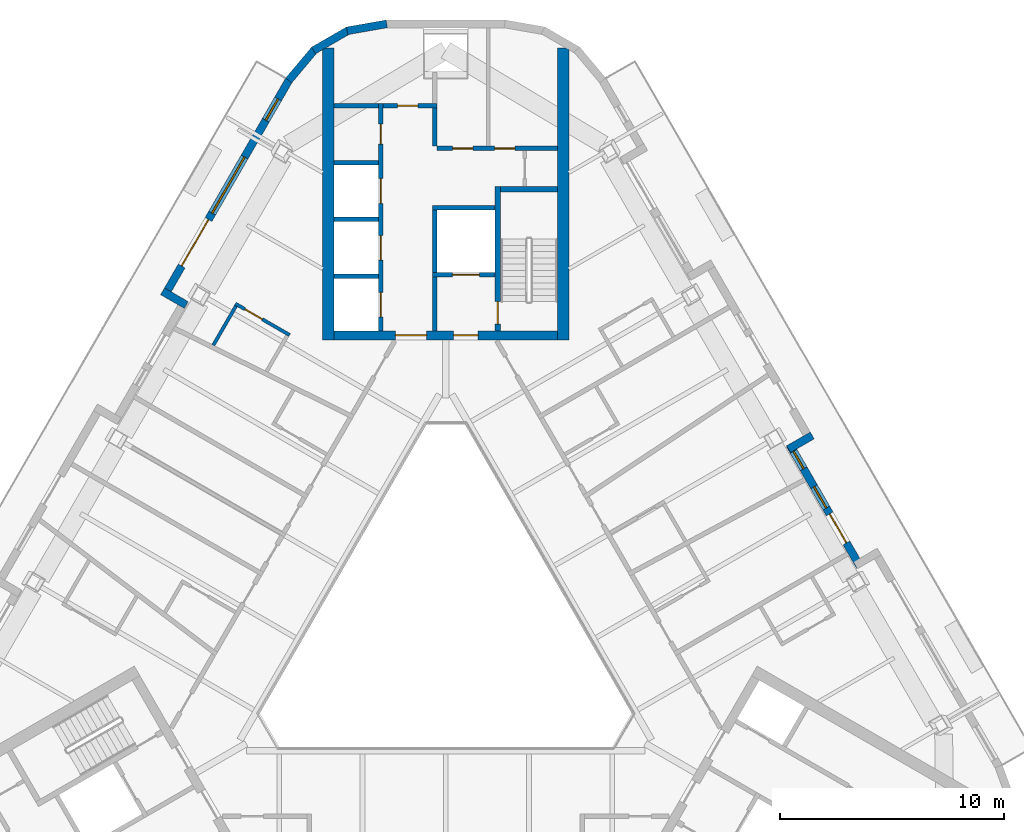
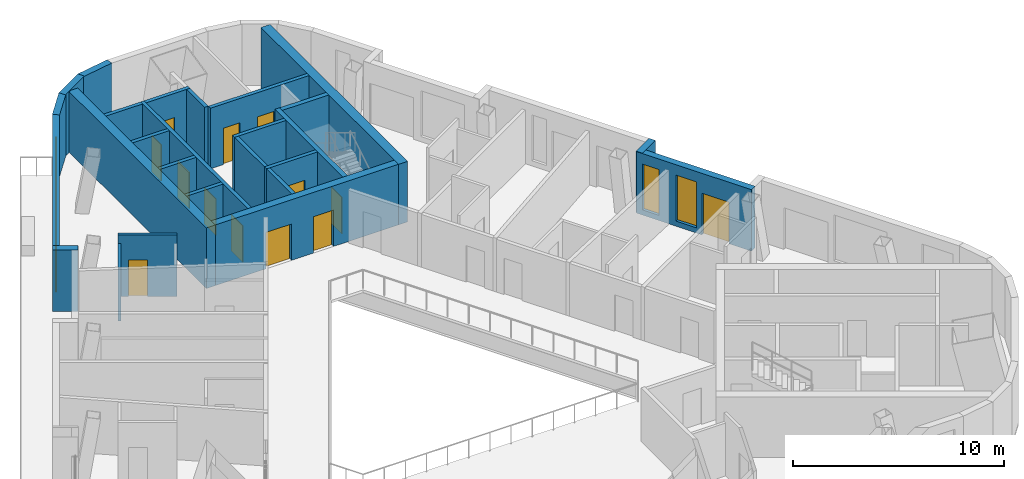
# One storey, part 7 of 13: 26 walls, 14 doors, 4 windows, 18 openings.
"""IFC4 building model written with IfcOpenShell, lengths in metres."""

from ifc_helpers import new_model, si_unit, direction, frame, frame_2d, origin, place, context, subcontext, project, spatial, rectangle, extrude, material, layer, layer_set, type_object, element, fill, save


model = new_model("IFC4")

# Units and contexts
model_context = context("Model", 3, precision=1e-05, world=origin(), true_north=direction((0.0, 1.0)))
body_context = subcontext(model_context, "Body", "Model", "MODEL_VIEW")
ifc_project = project(units=[si_unit("LENGTHUNIT", "METRE"), si_unit("AREAUNIT", "SQUARE_METRE"), si_unit("VOLUMEUNIT", "CUBIC_METRE"), si_unit("PLANEANGLEUNIT", "RADIAN"), si_unit("MASSUNIT", "GRAM", prefix="KILO")], contexts=[model_context])

# Site, building, storey
site_placement = place(None, origin())
site = spatial("IfcSite", under=ifc_project, at=site_placement, CompositionType="ELEMENT")
building_placement = place(site_placement, origin())
building = spatial("IfcBuilding", under=site, at=building_placement, Name="Apuvela Tower Hotel", CompositionType="ELEMENT")
storey_placement = place(building_placement, frame((0.0, 0.0, 276.300048828125)))
storey = spatial("IfcBuildingStorey", under=building, at=storey_placement, Name="L68", CompositionType="ELEMENT", Elevation=276.300048828125)

# Wall, openings, doors
ifc_material_1 = material(Name="Concrete C50/60", Category="concrete")
ifc_layer_1 = layer(ifc_material_1, 0.39990234375)
ifc_layer_set_1 = layer_set([ifc_layer_1], Name="COR-WALL-CORE-400")
wall_type_1 = type_object("IfcWallType", Name="COR-WALL-CORE-400", PredefinedType="SHEAR", material=ifc_layer_set_1)
wall_1_placement = place(storey_placement, frame((5.0, 13.10009765625, 0.0), z_axis=(0.0, 0.0, 1.0), x_axis=(-1.0, 0.0, 0.0)))
wall_1 = element("IfcWall", 1, at=wall_1_placement, inside=storey, type_object=wall_type_1, Name="Core wall N", PredefinedType="SHEAR", context=body_context, shape_type="SweptSolid", body=[
    extrude(rectangle(XDim=10.0, YDim=0.39990234375, at=frame_2d((5.0, 0.0))), origin(), (0.0, 0.0, 1.0), 3.5),
])
opening_1_placement = place(wall_1_placement, frame((3.550048828125, 0.0, 0.0)))
opening_1 = element("IfcOpeningElement", 2, at=opening_1_placement, cuts=wall_1, Name="Opening N-FD", PredefinedType="OPENING", context=body_context, shape_type="SweptSolid", body=[
    extrude(rectangle(XDim=1.10009765625, YDim=2.10009765625, at=frame_2d((0.550048828125, 1.050048828125))), frame((0.0, 0.2099609375, 0.0), z_axis=(0.0, -1.0, 0.0), x_axis=(1.0, 0.0, 0.0)), (0.0, 0.0, 1.0), 0.419921875),
])
opening_2_placement = place(wall_1_placement, frame((5.85009765625, 0.0, 0.0)))
opening_2 = element("IfcOpeningElement", 3, at=opening_2_placement, cuts=wall_1, Name="Opening N-GD", PredefinedType="OPENING", context=body_context, shape_type="SweptSolid", body=[
    extrude(rectangle(XDim=1.39990234375, YDim=2.10009765625, at=frame_2d((0.699951171875, 1.050048828125))), frame((0.0, 0.2099609375, 0.0), z_axis=(0.0, -1.0, 0.0), x_axis=(1.0, 0.0, 0.0)), (0.0, 0.0, 1.0), 0.419921875),
])
ifc_material_2 = material(Name="Steel fire door, powder coated", Category="steel")
door_type_1 = type_object("IfcDoorType", Name="COR-FD-1100", OperationType="NOTDEFINED", PredefinedType="DOOR", material=ifc_material_2)
door_1_placement = place(opening_1_placement, frame((1.10009765625, 0.0, 0.0), z_axis=(0.0, 0.0, 1.0), x_axis=(-1.0, 0.0, 0.0)))
door_1 = element("IfcDoor", 4, at=door_1_placement, inside=storey, type_object=door_type_1, Name="Firefighting lobby door N-FD", OperationType="SINGLE_SWING_LEFT", OverallHeight=2.10009765625, OverallWidth=1.10009765625, PredefinedType="DOOR", context=body_context, shape_type="SweptSolid", body=[
    extrude(rectangle(XDim=1.10009765625, YDim=2.10009765625, at=frame_2d((0.550048828125, 1.050048828125))), frame((0.0, 0.02490234375, 0.0), z_axis=(0.0, -1.0, 0.0), x_axis=(1.0, 0.0, 0.0)), (0.0, 0.0, 1.0), 0.050048828125),
])
fill(opening_1, door_1)
ifc_material_3 = material(Name="Glazed steel fire door", Category="steel")
door_type_2 = type_object("IfcDoorType", Name="COR-GD-1400", OperationType="DOUBLE_DOOR_SINGLE_SWING", PredefinedType="DOOR", material=ifc_material_3)
door_2_placement = place(opening_2_placement, frame((1.39990234375, 0.0, 0.0), z_axis=(0.0, 0.0, 1.0), x_axis=(-1.0, 0.0, 0.0)))
door_2 = element("IfcDoor", 5, at=door_2_placement, inside=storey, type_object=door_type_2, Name="Lift lobby door N-GD", OperationType="DOUBLE_DOOR_SINGLE_SWING", OverallHeight=2.10009765625, OverallWidth=1.39990234375, PredefinedType="DOOR", context=body_context, shape_type="SweptSolid", body=[
    extrude(rectangle(XDim=1.39990234375, YDim=2.10009765625, at=frame_2d((0.699951171875, 1.050048828125))), frame((0.0, 0.02490234375, 0.0), z_axis=(0.0, -1.0, 0.0), x_axis=(1.0, 0.0, 0.0)), (0.0, 0.0, 1.0), 0.050048828125),
])
fill(opening_2, door_2)

# Walls
ifc_layer_2 = layer(ifc_material_1, 0.5)
ifc_layer_set_2 = layer_set([ifc_layer_2], Name="COR-WALL-CORE-500")
wall_type_2 = type_object("IfcWallType", Name="COR-WALL-CORE-500", PredefinedType="SHEAR", material=ifc_layer_set_2)
for number, where, z_axis, x_axis, name in (
    (6, (5.25, 12.89990234375, 0.0), (0.0, 0.0, 1.0), (0.0, 1.0, 0.0), "Core wall N"),
    (7, (-5.25, 12.89990234375, 0.0), (0.0, 0.0, 1.0), (0.0, 1.0, 0.0), "Core wall N"),
):
    element("IfcWall", number, at=place(storey_placement, frame(where, z_axis=z_axis, x_axis=x_axis)), inside=storey, type_object=wall_type_2, Name=name, PredefinedType="SHEAR", context=body_context, shape_type="SweptSolid", body=[
        extrude(rectangle(XDim=13.031494140625, YDim=0.5, at=frame_2d((6.515625, 0.0))), origin(), (0.0, 0.0, 1.0), 3.5),
    ])

# Wall, openings, doors
ifc_material_4 = material(Name="Blockwork 200 mm plastered", Category="masonry")
ifc_layer_3 = layer(ifc_material_4, 0.199951171875)
ifc_layer_set_3 = layer_set([ifc_layer_3], Name="COR-WALL-PART-200")
wall_type_3 = type_object("IfcWallType", Name="COR-WALL-PART-200", PredefinedType="PARTITIONING", material=ifc_layer_set_3)
wall_2_placement = place(storey_placement, frame((5.0, 21.449951171875, 0.0), z_axis=(0.0, 0.0, 1.0), x_axis=(-1.0, 0.0, 0.0)))
wall_2 = element("IfcWall", 8, at=wall_2_placement, inside=storey, type_object=wall_type_3, Name="Partition N", PredefinedType="PARTITIONING", context=body_context, shape_type="SweptSolid", body=[
    extrude(rectangle(XDim=5.39990234375, YDim=0.199951171875, at=frame_2d((2.699951171875, 0.0))), origin(), (0.0, 0.0, 1.0), 3.5),
])
opening_3_placement = place(wall_2_placement, frame((1.91259765625, 0.0, 0.0)))
opening_3 = element("IfcOpeningElement", 9, at=opening_3_placement, cuts=wall_2, Name="Opening N-RS1", PredefinedType="OPENING", context=body_context, shape_type="SweptSolid", body=[
    extrude(rectangle(XDim=0.89990234375, YDim=2.10009765625, at=frame_2d((0.449951171875, 1.050048828125))), frame((0.0, 0.10986328125, 0.0), z_axis=(0.0, -1.0, 0.0), x_axis=(1.0, 0.0, 0.0)), (0.0, 0.0, 1.0), 0.219970703125),
])
opening_4_placement = place(wall_2_placement, frame((3.78759765625, 0.0, 0.0)))
opening_4 = element("IfcOpeningElement", 10, at=opening_4_placement, cuts=wall_2, Name="Opening N-RS2", PredefinedType="OPENING", context=body_context, shape_type="SweptSolid", body=[
    extrude(rectangle(XDim=0.89990234375, YDim=2.10009765625, at=frame_2d((0.449951171875, 1.050048828125))), frame((0.0, 0.10986328125, 0.0), z_axis=(0.0, -1.0, 0.0), x_axis=(1.0, 0.0, 0.0)), (0.0, 0.0, 1.0), 0.219970703125),
])
door_type_3 = type_object("IfcDoorType", Name="COR-DR-900", OperationType="NOTDEFINED", PredefinedType="DOOR", material=ifc_material_2)
door_3_placement = place(opening_3_placement, frame((0.89990234375, 0.0, 0.0), z_axis=(0.0, 0.0, 1.0), x_axis=(-1.0, 0.0, 0.0)))
door_3 = element("IfcDoor", 11, at=door_3_placement, inside=storey, type_object=door_type_3, Name="Store door N-RS1", OperationType="SINGLE_SWING_LEFT", OverallHeight=2.10009765625, OverallWidth=0.89990234375, PredefinedType="DOOR", context=body_context, shape_type="SweptSolid", body=[
    extrude(rectangle(XDim=0.89990234375, YDim=2.10009765625, at=frame_2d((0.449951171875, 1.050048828125))), frame((0.0, 0.02490234375, 0.0), z_axis=(0.0, -1.0, 0.0), x_axis=(1.0, 0.0, 0.0)), (0.0, 0.0, 1.0), 0.050048828125),
])
fill(opening_3, door_3)
door_4_placement = place(opening_4_placement, frame((0.89990234375, 0.0, 0.0), z_axis=(0.0, 0.0, 1.0), x_axis=(-1.0, 0.0, 0.0)))
door_4 = element("IfcDoor", 12, at=door_4_placement, inside=storey, type_object=door_type_3, Name="Store door N-RS2", OperationType="SINGLE_SWING_RIGHT", OverallHeight=2.10009765625, OverallWidth=0.89990234375, PredefinedType="DOOR", context=body_context, shape_type="SweptSolid", body=[
    extrude(rectangle(XDim=0.89990234375, YDim=2.10009765625, at=frame_2d((0.449951171875, 1.050048828125))), frame((0.0, 0.02490234375, 0.0), z_axis=(0.0, -1.0, 0.0), x_axis=(1.0, 0.0, 0.0)), (0.0, 0.0, 1.0), 0.050048828125),
])
fill(opening_4, door_4)

# Wall
ifc_layer_4 = layer(ifc_material_1, 0.199951171875)
ifc_layer_set_4 = layer_set([ifc_layer_4], Name="COR-WALL-SHAFT-200")
wall_type_4 = type_object("IfcWallType", Name="COR-WALL-SHAFT-200", PredefinedType="SHEAR", material=ifc_layer_set_4)
wall_3_placement = place(storey_placement, frame((2.199951171875, 18.800048828125, 0.0), z_axis=(0.0, 0.0, 1.0), x_axis=(-1.0, 0.0, 0.0)))
element("IfcWall", 13, at=wall_3_placement, inside=storey, type_object=wall_type_4, Name="Shaft wall N", PredefinedType="SHEAR", context=body_context, shape_type="SweptSolid", body=[
    extrude(rectangle(XDim=2.800048828125, YDim=0.199951171875, at=frame_2d((1.39990234375, 0.0))), origin(), (0.0, 0.0, 1.0), 3.5),
])

# Wall, opening, door
wall_4_placement = place(storey_placement, frame((2.199951171875, 15.800048828125, 0.0), z_axis=(0.0, 0.0, 1.0), x_axis=(-1.0, 0.0, 0.0)))
wall_4 = element("IfcWall", 14, at=wall_4_placement, inside=storey, type_object=wall_type_4, Name="Shaft wall N", PredefinedType="SHEAR", context=body_context, shape_type="SweptSolid", body=[
    extrude(rectangle(XDim=2.800048828125, YDim=0.199951171875, at=frame_2d((1.39990234375, 0.0))), origin(), (0.0, 0.0, 1.0), 3.5),
])
opening_5_placement = place(wall_4_placement, frame((0.699951171875, 0.0, 0.0)))
opening_5 = element("IfcOpeningElement", 15, at=opening_5_placement, cuts=wall_4, Name="Opening N-LD-FS1", PredefinedType="OPENING", context=body_context, shape_type="SweptSolid", body=[
    extrude(rectangle(XDim=1.199951171875, YDim=2.10009765625, at=frame_2d((0.60009765625, 1.050048828125))), frame((0.0, 0.10986328125, 0.0), z_axis=(0.0, -1.0, 0.0), x_axis=(1.0, 0.0, 0.0)), (0.0, 0.0, 1.0), 0.219970703125),
])
ifc_material_5 = material(Name="Stainless steel lift landing door", Category="steel")
door_type_4 = type_object("IfcDoorType", Name="COR-LD-1200", OperationType="DOUBLE_DOOR_SLIDING", PredefinedType="DOOR", material=ifc_material_5)
door_5_placement = place(opening_5_placement, origin())
door_5 = element("IfcDoor", 16, at=door_5_placement, inside=storey, type_object=door_type_4, Name="Lift landing door N-LD-FS1", OperationType="DOUBLE_DOOR_SLIDING", OverallHeight=2.10009765625, OverallWidth=1.199951171875, PredefinedType="DOOR", context=body_context, shape_type="SweptSolid", body=[
    extrude(rectangle(XDim=1.199951171875, YDim=2.10009765625, at=frame_2d((0.60009765625, 1.050048828125))), frame((0.0, 0.02490234375, 0.0), z_axis=(0.0, -1.0, 0.0), x_axis=(1.0, 0.0, 0.0)), (0.0, 0.0, 1.0), 0.050048828125),
])
fill(opening_5, door_5)

# Walls
wall_5_placement = place(storey_placement, frame((-0.5, 15.89990234375, 0.0), z_axis=(0.0, 0.0, 1.0), x_axis=(0.0, 1.0, 0.0)))
element("IfcWall", 17, at=wall_5_placement, inside=storey, type_object=wall_type_4, Name="Shaft wall N", PredefinedType="SHEAR", context=body_context, shape_type="SweptSolid", body=[
    extrude(rectangle(XDim=2.800048828125, YDim=0.199951171875, at=frame_2d((1.39990234375, 0.0))), origin(), (0.0, 0.0, 1.0), 3.5),
])
wall_6_placement = place(storey_placement, frame((-0.5, 13.300048828125, 0.0), z_axis=(0.0, 0.0, 1.0), x_axis=(0.0, 1.0, 0.0)))
element("IfcWall", 18, at=wall_6_placement, inside=storey, type_object=wall_type_4, Name="Shaft wall N", PredefinedType="SHEAR", context=body_context, shape_type="SweptSolid", body=[
    extrude(rectangle(XDim=2.39990234375, YDim=0.199951171875, at=frame_2d((1.199951171875, 0.0))), origin(), (0.0, 0.0, 1.0), 3.5),
])

# Wall, openings, doors
wall_7_placement = place(storey_placement, frame((-2.89990234375, 13.300048828125, 0.0), z_axis=(0.0, 0.0, 1.0), x_axis=(0.0, 1.0, 0.0)))
wall_7 = element("IfcWall", 19, at=wall_7_placement, inside=storey, type_object=wall_type_4, Name="Shaft wall N", PredefinedType="SHEAR", context=body_context, shape_type="SweptSolid", body=[
    extrude(rectangle(XDim=10.159912109375, YDim=0.199951171875, at=frame_2d((5.080078125, 0.0))), origin(), (0.0, 0.0, 1.0), 3.5),
])
opening_6_placement = place(wall_7_placement, frame((0.6201171875, 0.0, 0.0)))
opening_6 = element("IfcOpeningElement", 20, at=opening_6_placement, cuts=wall_7, Name="Opening N-LD-HR1", PredefinedType="OPENING", context=body_context, shape_type="SweptSolid", body=[
    extrude(rectangle(XDim=1.10009765625, YDim=2.10009765625, at=frame_2d((0.550048828125, 1.050048828125))), frame((0.0, 0.10986328125, 0.0), z_axis=(0.0, -1.0, 0.0), x_axis=(1.0, 0.0, 0.0)), (0.0, 0.0, 1.0), 0.219970703125),
])
opening_7_placement = place(wall_7_placement, frame((3.159912109375, 0.0, 0.0)))
opening_7 = element("IfcOpeningElement", 21, at=opening_7_placement, cuts=wall_7, Name="Opening N-LD-HR2", PredefinedType="OPENING", context=body_context, shape_type="SweptSolid", body=[
    extrude(rectangle(XDim=1.10009765625, YDim=2.10009765625, at=frame_2d((0.550048828125, 1.050048828125))), frame((0.0, 0.10986328125, 0.0), z_axis=(0.0, -1.0, 0.0), x_axis=(1.0, 0.0, 0.0)), (0.0, 0.0, 1.0), 0.219970703125),
])
opening_8_placement = place(wall_7_placement, frame((5.699951171875, 0.0, 0.0)))
opening_8 = element("IfcOpeningElement", 22, at=opening_8_placement, cuts=wall_7, Name="Opening N-LD-HR4", PredefinedType="OPENING", context=body_context, shape_type="SweptSolid", body=[
    extrude(rectangle(XDim=1.10009765625, YDim=2.10009765625, at=frame_2d((0.550048828125, 1.050048828125))), frame((0.0, 0.10986328125, 0.0), z_axis=(0.0, -1.0, 0.0), x_axis=(1.0, 0.0, 0.0)), (0.0, 0.0, 1.0), 0.219970703125),
])
opening_9_placement = place(wall_7_placement, frame((8.340087890625, 0.0, 0.0)))
opening_9 = element("IfcOpeningElement", 23, at=opening_9_placement, cuts=wall_7, Name="Opening N-RE4", PredefinedType="OPENING", context=body_context, shape_type="SweptSolid", body=[
    extrude(rectangle(XDim=0.89990234375, YDim=2.10009765625, at=frame_2d((0.449951171875, 1.050048828125))), frame((0.0, 0.10986328125, 0.0), z_axis=(0.0, -1.0, 0.0), x_axis=(1.0, 0.0, 0.0)), (0.0, 0.0, 1.0), 0.219970703125),
])
door_6_placement = place(opening_9_placement, origin())
door_6 = element("IfcDoor", 24, at=door_6_placement, inside=storey, type_object=door_type_3, Name="Store door N-RE4", OperationType="SINGLE_SWING_LEFT", OverallHeight=2.10009765625, OverallWidth=0.89990234375, PredefinedType="DOOR", context=body_context, shape_type="SweptSolid", body=[
    extrude(rectangle(XDim=0.89990234375, YDim=2.10009765625, at=frame_2d((0.449951171875, 1.050048828125))), frame((0.0, 0.02490234375, 0.0), z_axis=(0.0, -1.0, 0.0), x_axis=(1.0, 0.0, 0.0)), (0.0, 0.0, 1.0), 0.050048828125),
])
fill(opening_9, door_6)
door_type_5 = type_object("IfcDoorType", Name="COR-LD-1100", OperationType="DOUBLE_DOOR_SLIDING", PredefinedType="DOOR", material=ifc_material_5)
door_7_placement = place(opening_6_placement, origin())
door_7 = element("IfcDoor", 25, at=door_7_placement, inside=storey, type_object=door_type_5, Name="Lift landing door N-LD-HR1", OperationType="DOUBLE_DOOR_SLIDING", OverallHeight=2.10009765625, OverallWidth=1.10009765625, PredefinedType="DOOR", context=body_context, shape_type="SweptSolid", body=[
    extrude(rectangle(XDim=1.10009765625, YDim=2.10009765625, at=frame_2d((0.550048828125, 1.050048828125))), frame((0.0, 0.02490234375, 0.0), z_axis=(0.0, -1.0, 0.0), x_axis=(1.0, 0.0, 0.0)), (0.0, 0.0, 1.0), 0.050048828125),
])
fill(opening_6, door_7)
door_8_placement = place(opening_7_placement, origin())
door_8 = element("IfcDoor", 26, at=door_8_placement, inside=storey, type_object=door_type_5, Name="Lift landing door N-LD-HR2", OperationType="DOUBLE_DOOR_SLIDING", OverallHeight=2.10009765625, OverallWidth=1.10009765625, PredefinedType="DOOR", context=body_context, shape_type="SweptSolid", body=[
    extrude(rectangle(XDim=1.10009765625, YDim=2.10009765625, at=frame_2d((0.550048828125, 1.050048828125))), frame((0.0, 0.02490234375, 0.0), z_axis=(0.0, -1.0, 0.0), x_axis=(1.0, 0.0, 0.0)), (0.0, 0.0, 1.0), 0.050048828125),
])
fill(opening_7, door_8)
door_9_placement = place(opening_8_placement, origin())
door_9 = element("IfcDoor", 27, at=door_9_placement, inside=storey, type_object=door_type_5, Name="Lift landing door N-LD-HR4", OperationType="DOUBLE_DOOR_SLIDING", OverallHeight=2.10009765625, OverallWidth=1.10009765625, PredefinedType="DOOR", context=body_context, shape_type="SweptSolid", body=[
    extrude(rectangle(XDim=1.10009765625, YDim=2.10009765625, at=frame_2d((0.550048828125, 1.050048828125))), frame((0.0, 0.02490234375, 0.0), z_axis=(0.0, -1.0, 0.0), x_axis=(1.0, 0.0, 0.0)), (0.0, 0.0, 1.0), 0.050048828125),
])
fill(opening_8, door_9)

# Wall, opening, door
wall_8_placement = place(storey_placement, frame((-0.39990234375, 23.360107421875, 0.0), z_axis=(0.0, 0.0, 1.0), x_axis=(-1.0, 0.0, 0.0)))
wall_8 = element("IfcWall", 28, at=wall_8_placement, inside=storey, type_object=wall_type_4, Name="Shaft wall N", PredefinedType="SHEAR", context=body_context, shape_type="SweptSolid", body=[
    extrude(rectangle(XDim=2.400146484375, YDim=0.199951171875, at=frame_2d((1.2001953125, 0.0))), origin(), (0.0, 0.0, 1.0), 3.5),
])
opening_10_placement = place(wall_8_placement, frame((0.85009765625, 0.0, 0.0)))
opening_10 = element("IfcOpeningElement", 29, at=opening_10_placement, cuts=wall_8, Name="Opening N-REP", PredefinedType="OPENING", context=body_context, shape_type="SweptSolid", body=[
    extrude(rectangle(XDim=0.89990234375, YDim=2.10009765625, at=frame_2d((0.449951171875, 1.050048828125))), frame((0.0, 0.10986328125, 0.0), z_axis=(0.0, -1.0, 0.0), x_axis=(1.0, 0.0, 0.0)), (0.0, 0.0, 1.0), 0.219970703125),
])
door_10_placement = place(opening_10_placement, frame((0.89990234375, 0.0, 0.0), z_axis=(0.0, 0.0, 1.0), x_axis=(-1.0, 0.0, 0.0)))
door_10 = element("IfcDoor", 30, at=door_10_placement, inside=storey, type_object=door_type_3, Name="Store door N-REP", OperationType="SINGLE_SWING_LEFT", OverallHeight=2.10009765625, OverallWidth=0.89990234375, PredefinedType="DOOR", context=body_context, shape_type="SweptSolid", body=[
    extrude(rectangle(XDim=0.89990234375, YDim=2.10009765625, at=frame_2d((0.449951171875, 1.050048828125))), frame((0.0, 0.02490234375, 0.0), z_axis=(0.0, -1.0, 0.0), x_axis=(1.0, 0.0, 0.0)), (0.0, 0.0, 1.0), 0.050048828125),
])
fill(opening_10, door_10)

# Walls
wall_9_placement = place(storey_placement, frame((-0.5, 21.550048828125, 0.0), z_axis=(0.0, 0.0, 1.0), x_axis=(0.0, 1.0, 0.0)))
element("IfcWall", 31, at=wall_9_placement, inside=storey, type_object=wall_type_4, Name="Shaft wall N", PredefinedType="SHEAR", context=body_context, shape_type="SweptSolid", body=[
    extrude(rectangle(XDim=1.7099609375, YDim=0.199951171875, at=frame_2d((0.85498046875, 0.0))), origin(), (0.0, 0.0, 1.0), 3.5),
])
for number, where, z_axis, x_axis, name in (
    (32, (-3.0, 15.739990234375, 0.0), (0.0, 0.0, 1.0), (-1.0, 0.0, 0.0), "Shaft wall N"),
    (33, (-3.0, 18.280029296875, 0.0), (0.0, 0.0, 1.0), (-1.0, 0.0, 0.0), "Shaft wall N"),
    (34, (-3.0, 20.820068359375, 0.0), (0.0, 0.0, 1.0), (-1.0, 0.0, 0.0), "Shaft wall N"),
    (35, (-3.0, 23.360107421875, 0.0), (0.0, 0.0, 1.0), (-1.0, 0.0, 0.0), "Shaft wall N"),
):
    element("IfcWall", number, at=place(storey_placement, frame(where, z_axis=z_axis, x_axis=x_axis)), inside=storey, type_object=wall_type_4, Name=name, PredefinedType="SHEAR", context=body_context, shape_type="SweptSolid", body=[
        extrude(rectangle(XDim=2.0, YDim=0.199951171875, at=frame_2d((1.0, 0.0))), origin(), (0.0, 0.0, 1.0), 3.5),
    ])

# Wall, opening, door
ifc_layer_5 = layer(ifc_material_1, 0.25)
ifc_layer_set_5 = layer_set([ifc_layer_5], Name="COR-WALL-STAIR-250")
wall_type_5 = type_object("IfcWallType", Name="COR-WALL-STAIR-250", PredefinedType="SHEAR", material=ifc_layer_set_5)
wall_10_placement = place(storey_placement, frame((2.324951171875, 13.300048828125, 0.0), z_axis=(0.0, 0.0, 1.0), x_axis=(0.0, 1.0, 0.0)))
wall_10 = element("IfcWall", 36, at=wall_10_placement, inside=storey, type_object=wall_type_5, Name="Stair wall N", PredefinedType="SHEAR", context=body_context, shape_type="SweptSolid", body=[
    extrude(rectangle(XDim=6.449951171875, YDim=0.25, at=frame_2d((3.22509765625, 0.0))), origin(), (0.0, 0.0, 1.0), 3.5),
])
opening_11_placement = place(wall_10_placement, frame((0.300048828125, 0.0, 0.0)))
opening_11 = element("IfcOpeningElement", 37, at=opening_11_placement, cuts=wall_10, Name="Opening N-SD", PredefinedType="OPENING", context=body_context, shape_type="SweptSolid", body=[
    extrude(rectangle(XDim=1.0, YDim=2.10009765625, at=frame_2d((0.5, 1.050048828125))), frame((0.0, 0.135009765625, 0.0), z_axis=(0.0, -1.0, 0.0), x_axis=(1.0, 0.0, 0.0)), (0.0, 0.0, 1.0), 0.27001953125),
])
door_type_6 = type_object("IfcDoorType", Name="COR-SD-1000", OperationType="NOTDEFINED", PredefinedType="DOOR", material=ifc_material_2)
door_11_placement = place(opening_11_placement, frame((1.0, 0.0, 0.0), z_axis=(0.0, 0.0, 1.0), x_axis=(-1.0, 0.0, 0.0)))
door_11 = element("IfcDoor", 38, at=door_11_placement, inside=storey, type_object=door_type_6, Name="Stair door N-SD", OperationType="SINGLE_SWING_LEFT", OverallHeight=2.10009765625, OverallWidth=1.0, PredefinedType="DOOR", context=body_context, shape_type="SweptSolid", body=[
    extrude(rectangle(XDim=1.0, YDim=2.10009765625, at=frame_2d((0.5, 1.050048828125))), frame((0.0, 0.02490234375, 0.0), z_axis=(0.0, -1.0, 0.0), x_axis=(1.0, 0.0, 0.0)), (0.0, 0.0, 1.0), 0.050048828125),
])
fill(opening_11, door_11)

# Wall
wall_11_placement = place(storey_placement, frame((5.0, 19.625, 0.0), z_axis=(0.0, 0.0, 1.0), x_axis=(-1.0, 0.0, 0.0)))
element("IfcWall", 39, at=wall_11_placement, inside=storey, type_object=wall_type_5, Name="Stair wall N", PredefinedType="SHEAR", context=body_context, shape_type="SweptSolid", body=[
    extrude(rectangle(XDim=2.550048828125, YDim=0.25, at=frame_2d((1.27490234375, 0.0))), origin(), (0.0, 0.0, 1.0), 3.5),
])

# Wall, openings, door, windows
ifc_material_6 = material(Name="Concrete C40/50, dark pigmented precast panel", Category="concrete")
ifc_layer_6 = layer(ifc_material_6, 0.35009765625)
ifc_layer_set_6 = layer_set([ifc_layer_6], Name="ENV-WALL-350")
wall_type_6 = type_object("IfcWallType", Name="ENV-WALL-350", PredefinedType="SOLIDWALL", material=ifc_layer_set_6)
wall_12_placement = place(storey_placement, frame((-7.001953125, 24.513916015625, 0.0), z_axis=(0.0, 0.0, 1.0), x_axis=(-0.500000830309, -0.866024924405, 0.0)))
wall_12 = element("IfcWall", 40, at=wall_12_placement, inside=storey, type_object=wall_type_6, Name="External wall L68-01", PredefinedType="SOLIDWALL", context=body_context, shape_type="SweptSolid", body=[
    extrude(rectangle(XDim=11.18505859375, YDim=0.35009765625, at=frame_2d((5.592529296875, 0.0))), origin(), (0.0, 0.0, 1.0), 3.550048828125),
])
opening_12_placement = place(wall_12_placement, frame((0.97900390625, 0.0, 0.300048828125)))
opening_12 = element("IfcOpeningElement", 41, at=opening_12_placement, cuts=wall_12, Name="Opening WN11", PredefinedType="OPENING", context=body_context, shape_type="SweptSolid", body=[
    extrude(rectangle(XDim=1.10009765625, YDim=2.64990234375, at=frame_2d((0.550048828125, 1.324951171875))), frame((0.0, 0.18505859375, 0.0), z_axis=(0.0, -1.0, 0.0), x_axis=(1.0, 0.0, 0.0)), (0.0, 0.0, 1.0), 0.3701171875),
])
opening_13_placement = place(wall_12_placement, frame((7.205322265625, 0.0, 0.0)))
opening_13 = element("IfcOpeningElement", 42, at=opening_13_placement, cuts=wall_12, Name="Opening BD24", PredefinedType="OPENING", context=body_context, shape_type="SweptSolid", body=[
    extrude(rectangle(XDim=2.39990234375, YDim=2.39990234375, at=frame_2d((1.199951171875, 1.199951171875))), frame((0.0, 0.18505859375, 0.0), z_axis=(0.0, -1.0, 0.0), x_axis=(1.0, 0.0, 0.0)), (0.0, 0.0, 1.0), 0.3701171875),
])
opening_14_placement = place(wall_12_placement, frame((3.9794921875, 0.0, 0.300048828125)))
opening_14 = element("IfcOpeningElement", 43, at=opening_14_placement, cuts=wall_12, Name="Opening WN29", PredefinedType="OPENING", context=body_context, shape_type="SweptSolid", body=[
    extrude(rectangle(XDim=2.89990234375, YDim=2.64990234375, at=frame_2d((1.449951171875, 1.324951171875))), frame((0.0, 0.18505859375, 0.0), z_axis=(0.0, -1.0, 0.0), x_axis=(1.0, 0.0, 0.0)), (0.0, 0.0, 1.0), 0.3701171875),
])
ifc_material_7 = material(Name="Aluminium 6063-T6, dark bronze anodised frame with dark tinted laminated glass", Category="aluminium")
door_type_7 = type_object("IfcDoorType", Name="ENV-DOOR-BALCONY-2400x2400", OperationType="SLIDING_TO_LEFT", PredefinedType="DOOR", material=ifc_material_7)
door_12_placement = place(opening_13_placement, frame((2.39990234375, 0.0, 0.0), z_axis=(0.0, 0.0, 1.0), x_axis=(-1.0, 0.0, 0.0)))
door_12 = element("IfcDoor", 44, at=door_12_placement, inside=storey, type_object=door_type_7, Name="Balcony door BD24", OperationType="SLIDING_TO_LEFT", OverallHeight=2.39990234375, OverallWidth=2.39990234375, PredefinedType="DOOR", context=body_context, shape_type="SweptSolid", body=[
    extrude(rectangle(XDim=2.39990234375, YDim=2.39990234375, at=frame_2d((1.199951171875, 1.199951171875))), frame((0.0, 0.02490234375, 0.0), z_axis=(0.0, -1.0, 0.0), x_axis=(1.0, 0.0, 0.0)), (0.0, 0.0, 1.0), 0.050048828125),
])
fill(opening_13, door_12)
ifc_material_8 = material(Name="Glass, dark tinted laminated insulated glazing unit", Category="glass")
window_type_1 = type_object("IfcWindowType", Name="ENV-WIN-1100x2650", PartitioningType="SINGLE_PANEL", PredefinedType="WINDOW", material=ifc_material_8)
window_1_placement = place(opening_12_placement, origin())
window_1 = element("IfcWindow", 45, at=window_1_placement, inside=storey, type_object=window_type_1, Name="Window WN11", OverallHeight=2.64990234375, OverallWidth=1.10009765625, PartitioningType="SINGLE_PANEL", PredefinedType="WINDOW", context=body_context, shape_type="SweptSolid", body=[
    extrude(rectangle(XDim=1.10009765625, YDim=2.64990234375, at=frame_2d((0.550048828125, 1.324951171875))), frame((0.0, 0.030029296875, 0.0), z_axis=(0.0, -1.0, 0.0), x_axis=(1.0, 0.0, 0.0)), (0.0, 0.0, 1.0), 0.06005859375),
])
fill(opening_12, window_1)
window_type_2 = type_object("IfcWindowType", Name="ENV-WIN-2900x2650", PartitioningType="SINGLE_PANEL", PredefinedType="WINDOW", material=ifc_material_8)
window_2_placement = place(opening_14_placement, origin())
window_2 = element("IfcWindow", 46, at=window_2_placement, inside=storey, type_object=window_type_2, Name="Window WN29", OverallHeight=2.64990234375, OverallWidth=2.89990234375, PartitioningType="SINGLE_PANEL", PredefinedType="WINDOW", context=body_context, shape_type="SweptSolid", body=[
    extrude(rectangle(XDim=2.89990234375, YDim=2.64990234375, at=frame_2d((1.449951171875, 1.324951171875))), frame((0.0, 0.030029296875, 0.0), z_axis=(0.0, -1.0, 0.0), x_axis=(1.0, 0.0, 0.0)), (0.0, 0.0, 1.0), 0.06005859375),
])
fill(opening_14, window_2)

# Wall
wall_13_placement = place(storey_placement, frame((-12.65869140625, 15.06640625, 0.0), z_axis=(0.0, 0.0, 1.0), x_axis=(0.866005645448, -0.500034220881, 0.0)))
element("IfcWall", 47, at=wall_13_placement, inside=storey, type_object=wall_type_6, Name="External wall L68-02", PredefinedType="SOLIDWALL", context=body_context, shape_type="SweptSolid", body=[
    extrude(rectangle(XDim=1.22021484375, YDim=0.35009765625, at=frame_2d((0.610107421875, 0.0))), origin(), (0.0, 0.0, 1.0), 3.550048828125),
])

# Wall, openings, door, windows
wall_14_placement = place(storey_placement, frame((18.5185546875, 2.766357421875, 0.0), z_axis=(0.0, 0.0, 1.0), x_axis=(-0.499995993298, 0.866027717042, 0.0)))
wall_14 = element("IfcWall", 48, at=wall_14_placement, inside=storey, type_object=wall_type_6, Name="External wall L68-35", PredefinedType="SOLIDWALL", context=body_context, shape_type="SweptSolid", body=[
    extrude(rectangle(XDim=6.28369140625, YDim=0.35009765625, at=frame_2d((3.141845703125, 0.0))), origin(), (0.0, 0.0, 1.0), 3.550048828125),
])
opening_15_placement = place(wall_14_placement, frame((1.21337890625, 0.0, 0.0)))
opening_15 = element("IfcOpeningElement", 49, at=opening_15_placement, cuts=wall_14, Name="Opening BD15", PredefinedType="OPENING", context=body_context, shape_type="SweptSolid", body=[
    extrude(rectangle(XDim=1.5, YDim=2.39990234375, at=frame_2d((0.75, 1.199951171875))), frame((0.0, 0.18505859375, 0.0), z_axis=(0.0, -1.0, 0.0), x_axis=(1.0, 0.0, 0.0)), (0.0, 0.0, 1.0), 0.3701171875),
])
opening_16_placement = place(wall_14_placement, frame((3.013427734375, 0.0, 0.300048828125)))
opening_16 = element("IfcOpeningElement", 50, at=opening_16_placement, cuts=wall_14, Name="Opening WN11", PredefinedType="OPENING", context=body_context, shape_type="SweptSolid", body=[
    extrude(rectangle(XDim=1.10009765625, YDim=2.64990234375, at=frame_2d((0.550048828125, 1.324951171875))), frame((0.0, 0.18505859375, 0.0), z_axis=(0.0, -1.0, 0.0), x_axis=(1.0, 0.0, 0.0)), (0.0, 0.0, 1.0), 0.3701171875),
])
opening_17_placement = place(wall_14_placement, frame((5.041748046875, 0.0, 0.300048828125)))
opening_17 = element("IfcOpeningElement", 51, at=opening_17_placement, cuts=wall_14, Name="Opening WN09", PredefinedType="OPENING", context=body_context, shape_type="SweptSolid", body=[
    extrude(rectangle(XDim=0.89990234375, YDim=2.64990234375, at=frame_2d((0.449951171875, 1.324951171875))), frame((0.0, 0.18505859375, 0.0), z_axis=(0.0, -1.0, 0.0), x_axis=(1.0, 0.0, 0.0)), (0.0, 0.0, 1.0), 0.3701171875),
])
door_type_8 = type_object("IfcDoorType", Name="ENV-DOOR-BALCONY-1500x2400", OperationType="SLIDING_TO_LEFT", PredefinedType="DOOR", material=ifc_material_7)
door_13_placement = place(opening_15_placement, frame((1.5, 0.0, 0.0), z_axis=(0.0, 0.0, 1.0), x_axis=(-1.0, 0.0, 0.0)))
door_13 = element("IfcDoor", 52, at=door_13_placement, inside=storey, type_object=door_type_8, Name="Balcony door BD15", OperationType="SLIDING_TO_LEFT", OverallHeight=2.39990234375, OverallWidth=1.5, PredefinedType="DOOR", context=body_context, shape_type="SweptSolid", body=[
    extrude(rectangle(XDim=1.5, YDim=2.39990234375, at=frame_2d((0.75, 1.199951171875))), frame((0.0, 0.02490234375, 0.0), z_axis=(0.0, -1.0, 0.0), x_axis=(1.0, 0.0, 0.0)), (0.0, 0.0, 1.0), 0.050048828125),
])
fill(opening_15, door_13)
window_3_placement = place(opening_16_placement, origin())
window_3 = element("IfcWindow", 53, at=window_3_placement, inside=storey, type_object=window_type_1, Name="Window WN11", OverallHeight=2.64990234375, OverallWidth=1.10009765625, PartitioningType="SINGLE_PANEL", PredefinedType="WINDOW", context=body_context, shape_type="SweptSolid", body=[
    extrude(rectangle(XDim=1.10009765625, YDim=2.64990234375, at=frame_2d((0.550048828125, 1.324951171875))), frame((0.0, 0.030029296875, 0.0), z_axis=(0.0, -1.0, 0.0), x_axis=(1.0, 0.0, 0.0)), (0.0, 0.0, 1.0), 0.06005859375),
])
fill(opening_16, window_3)
window_type_3 = type_object("IfcWindowType", Name="ENV-WIN-900x2650", PartitioningType="SINGLE_PANEL", PredefinedType="WINDOW", material=ifc_material_8)
window_4_placement = place(opening_17_placement, origin())
window_4 = element("IfcWindow", 54, at=window_4_placement, inside=storey, type_object=window_type_3, Name="Window WN09", OverallHeight=2.64990234375, OverallWidth=0.89990234375, PartitioningType="SINGLE_PANEL", PredefinedType="WINDOW", context=body_context, shape_type="SweptSolid", body=[
    extrude(rectangle(XDim=0.89990234375, YDim=2.64990234375, at=frame_2d((0.449951171875, 1.324951171875))), frame((0.0, 0.030029296875, 0.0), z_axis=(0.0, -1.0, 0.0), x_axis=(1.0, 0.0, 0.0)), (0.0, 0.0, 1.0), 0.06005859375),
])
fill(opening_17, window_4)

# Walls
wall_15_placement = place(storey_placement, frame((15.32373046875, 8.010009765625, 0.0), z_axis=(0.0, 0.0, 1.0), x_axis=(0.866005645448, 0.500034220881, 0.0)))
element("IfcWall", 55, at=wall_15_placement, inside=storey, type_object=wall_type_6, Name="External wall L68-36", PredefinedType="SOLIDWALL", context=body_context, shape_type="SweptSolid", body=[
    extrude(rectangle(XDim=1.22021484375, YDim=0.35009765625, at=frame_2d((0.610107421875, 0.0))), origin(), (0.0, 0.0, 1.0), 3.550048828125),
])
for number, where, z_axis, x_axis, name in (
    (56, (-2.63525390625, 27.020263671875, 0.0), (0.0, 0.0, 1.0), (-0.984787655226, -0.173762119331, 0.0), "External wall L68-46"),
    (57, (-4.3505859375, 26.728515625, 0.0), (0.0, 0.0, 1.0), (-0.866013897511, -0.50001992892, 0.0), "External wall L68-47"),
):
    element("IfcWall", number, at=place(storey_placement, frame(where, z_axis=z_axis, x_axis=x_axis)), inside=storey, type_object=wall_type_6, Name=name, PredefinedType="SOLIDWALL", context=body_context, shape_type="SweptSolid", body=[
        extrude(rectangle(XDim=1.7998046875, YDim=0.35009765625, at=frame_2d((0.89990234375, 0.0))), origin(), (0.0, 0.0, 1.0), 3.550048828125),
    ])
wall_16_placement = place(storey_placement, frame((-5.862548828125, 25.86767578125, 0.0), z_axis=(0.0, 0.0, 1.0), x_axis=(-0.642756114672, -0.766070869471, 0.0)))
element("IfcWall", 58, at=wall_16_placement, inside=storey, type_object=wall_type_6, Name="External wall L68-48", PredefinedType="SOLIDWALL", context=body_context, shape_type="SweptSolid", body=[
    extrude(rectangle(XDim=1.799560546875, YDim=0.35009765625, at=frame_2d((0.89990234375, 0.0))), origin(), (0.0, 0.0, 1.0), 3.550048828125),
])

# Wall, opening, door
ifc_material_9 = material(Name="Moisture-resistant gypsum board wet wall on steel stud", Category="steel")
ifc_layer_7 = layer(ifc_material_9, 0.14990234375)
ifc_layer_set_7 = layer_set([ifc_layer_7], Name="GST-PW3")
wall_type_7 = type_object("IfcWallType", Name="GST-PW3", PredefinedType="PARTITIONING", material=ifc_layer_set_7)
wall_17_placement = place(storey_placement, frame((-6.97900390625, 13.112060546875, 0.0), z_axis=(0.0, 0.0, 1.0), x_axis=(-0.865996816683, 0.500049511043, 0.0)))
wall_17 = element("IfcWall", 59, at=wall_17_placement, inside=storey, type_object=wall_type_7, Name="L68 partition 42", PredefinedType="PARTITIONING", context=body_context, shape_type="SweptSolid", body=[
    extrude(rectangle(XDim=2.800048828125, YDim=0.14990234375, at=frame_2d((1.39990234375, 0.0))), origin(), (0.0, 0.0, 1.0), 3.550048828125),
])
opening_18_placement = place(wall_17_placement, frame((1.39990234375, 0.0, 0.0)))
opening_18 = element("IfcOpeningElement", 60, at=opening_18_placement, cuts=wall_17, Name="Opening GD27-18", PredefinedType="OPENING", context=body_context, shape_type="SweptSolid", body=[
    extrude(rectangle(XDim=0.89990234375, YDim=2.10009765625, at=frame_2d((0.449951171875, 1.050048828125))), frame((0.0, 0.0849609375, 0.0), z_axis=(0.0, -1.0, 0.0), x_axis=(1.0, 0.0, 0.0)), (0.0, 0.0, 1.0), 0.169921875),
])
ifc_material_10 = material(Name="Timber door leaf in steel frame", Category="steel")
door_type_9 = type_object("IfcDoorType", Name="GST-D2", OperationType="NOTDEFINED", PredefinedType="DOOR", material=ifc_material_10)
door_14_placement = place(opening_18_placement, origin())
door_14 = element("IfcDoor", 61, at=door_14_placement, inside=storey, type_object=door_type_9, Name="Door L68-18", OperationType="SINGLE_SWING_RIGHT", OverallHeight=2.10009765625, OverallWidth=0.89990234375, PredefinedType="DOOR", context=body_context, shape_type="SweptSolid", body=[
    extrude(rectangle(XDim=0.89990234375, YDim=2.10009765625, at=frame_2d((0.449951171875, 1.050048828125))), frame((0.0, 0.02490234375, 0.0), z_axis=(0.0, -1.0, 0.0), x_axis=(1.0, 0.0, 0.0)), (0.0, 0.0, 1.0), 0.050048828125),
])
fill(opening_18, door_14)

# Wall
wall_18_placement = place(storey_placement, frame((-9.37646484375, 14.40966796875, 0.0), z_axis=(0.0, 0.0, 1.0), x_axis=(-0.499917528438, -0.866073013527, 0.0)))
element("IfcWall", 62, at=wall_18_placement, inside=storey, type_object=wall_type_7, Name="L68 partition 43", PredefinedType="PARTITIONING", context=body_context, shape_type="SweptSolid", body=[
    extrude(rectangle(XDim=2.022216796875, YDim=0.14990234375, at=frame_2d((1.01123046875, 0.0))), origin(), (0.0, 0.0, 1.0), 3.050048828125),
])

save(model, "model.ifc")
